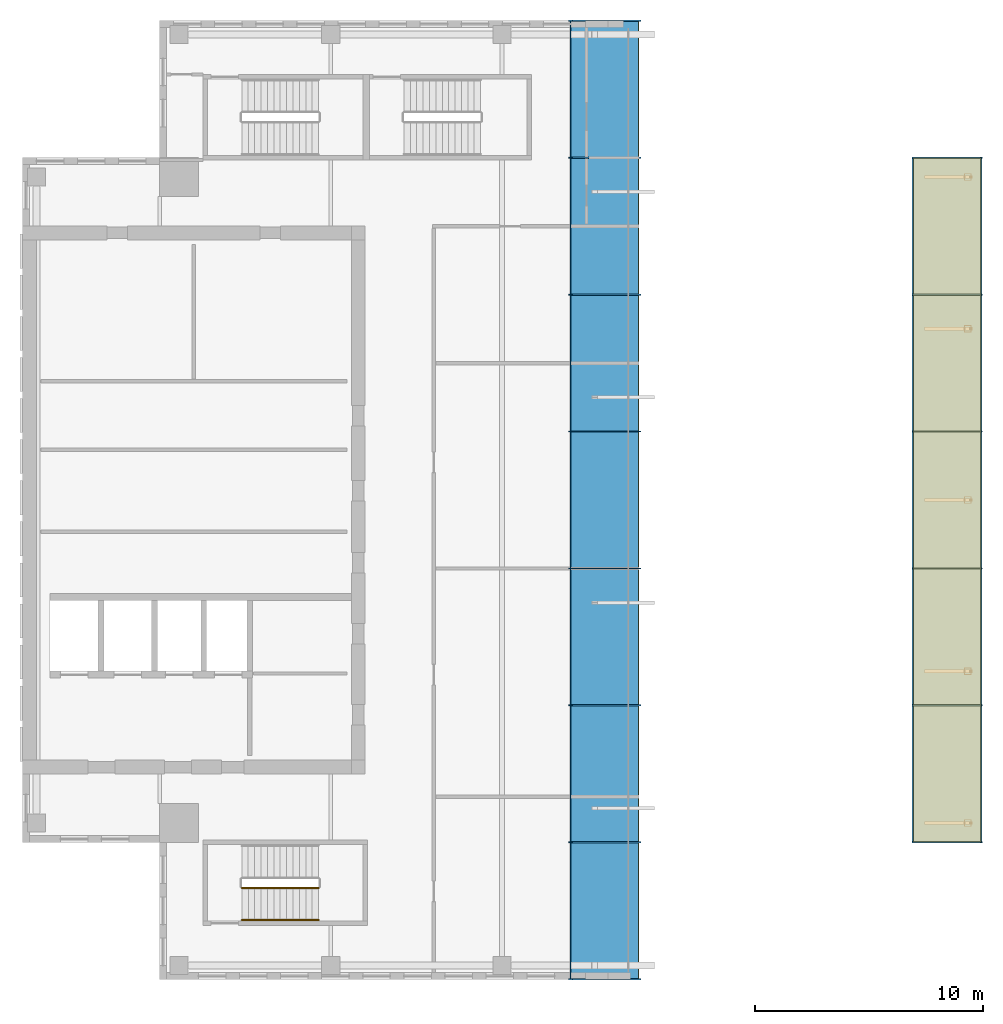
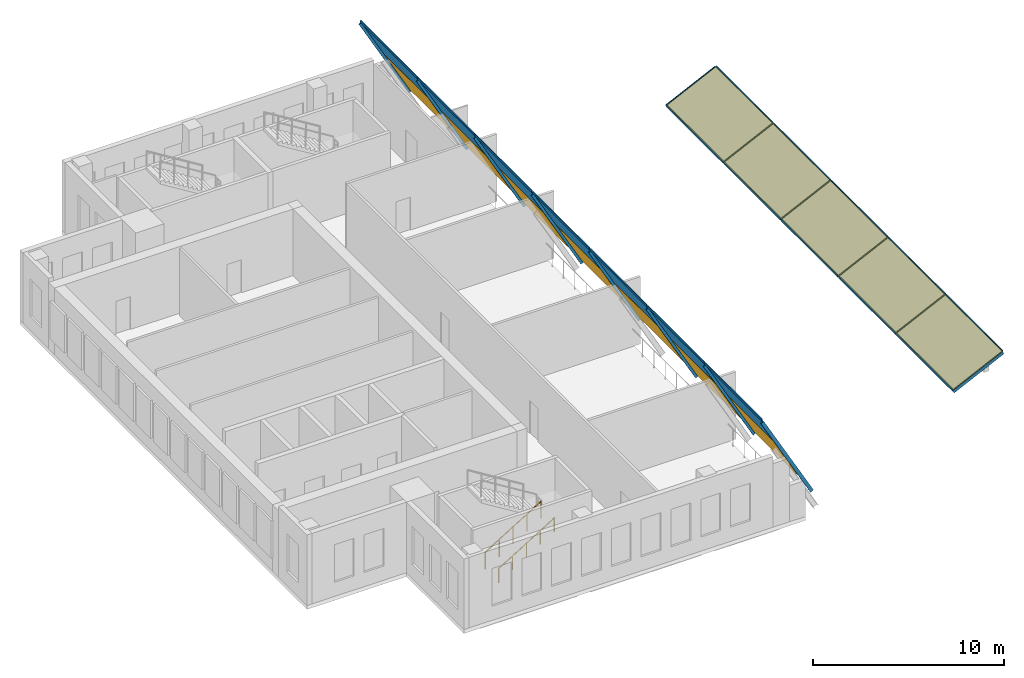
# One storey, part 6 of 7: 31 members, 12 plates, 2 curtain walls, 2 railings.
"""IFC4 building model written with IfcOpenShell, lengths in metres."""

import ifcopenshell
import ifcopenshell.guid

model = None  # the IFC model being written
_history = None  # IfcOwnerHistory: only IFC2X3 demands one
_inside = {}  # id of a spatial element -> (the spatial element, [elements in it])
_under = {}  # id of a project, library or spatial element -> (it, [spatial elements below it])
_declared = {}  # id of a project -> (the project, [libraries it declares])
_typed = {}  # id of a type object -> (the type object, [elements of that type])
_made_of = {}  # id of a material, layer set ... -> (it, [elements and type objects made of it])


def new_model(schema):
    """Start an empty IFC model of exactly this schema.

    Asked for "IFC4X3", IfcOpenShell would pick the latest addendum, in which some entities
    have other attributes; the version numbers below select the first issue.
    IFC2X3 requires an IfcOwnerHistory on every rooted entity: one is made here for all.
    """
    global model, _history
    if schema == "IFC4X3":
        model = ifcopenshell.file(schema_version=(4, 3, 0, 0))
    else:
        model = ifcopenshell.file(schema=schema)
    _inside.clear()
    _under.clear()
    _declared.clear()
    _typed.clear()
    _made_of.clear()
    _history = None
    if model.schema == "IFC2X3":
        org = make("IfcOrganization", Name="unknown")
        user = make(
            "IfcPersonAndOrganization",
            ThePerson=make("IfcPerson", FamilyName="unknown"),
            TheOrganization=org,
        )
        app = make(
            "IfcApplication",
            ApplicationDeveloper=org,
            Version="unknown",
            ApplicationFullName="unknown",
            ApplicationIdentifier="unknown",
        )
        _history = make(
            "IfcOwnerHistory",
            OwningUser=user,
            OwningApplication=app,
            ChangeAction="ADDED",
            CreationDate=0,
        )
    return model


def make(cls, **values):
    """One entity of the class cls with the attributes given. An attribute that is None is left unset."""
    return model.create_entity(
        cls, **{name: value for name, value in values.items() if value is not None}
    )


def rooted(cls, **values):
    """An entity with a GlobalId (a new one), such as an element, a storey or a relation."""
    return make(cls, GlobalId=ifcopenshell.guid.new(), OwnerHistory=_history, **values)


def si_unit(unit_type, name, prefix=None):
    """IfcSIUnit, for example si_unit("LENGTHUNIT", "METRE", prefix="MILLI")."""
    return make("IfcSIUnit", UnitType=unit_type, Prefix=prefix, Name=name)


def assignment(units):
    """IfcUnitAssignment: the units of a project."""
    return None if units is None else make("IfcUnitAssignment", Units=units)


def point(xyz):
    """IfcCartesianPoint."""
    return None if xyz is None else make("IfcCartesianPoint", Coordinates=xyz)


def direction(xyz):
    """IfcDirection."""
    return None if xyz is None else make("IfcDirection", DirectionRatios=xyz)


def frame(location, z_axis=None, x_axis=None):
    """IfcAxis2Placement3D, a coordinate frame: its origin and axes. An axis left out is left unset."""
    return make(
        "IfcAxis2Placement3D",
        Location=point(location),
        Axis=direction(z_axis),
        RefDirection=direction(x_axis),
    )


def frame_2d(location, x_axis=None):
    """IfcAxis2Placement2D, a coordinate frame in the plane: its origin and x axis."""
    return make(
        "IfcAxis2Placement2D", Location=point(location), RefDirection=direction(x_axis)
    )


def origin():
    """The frame at (0, 0, 0) with its axes left unset."""
    return frame((0.0, 0.0, 0.0))


def origin_2d():
    """The frame at (0, 0) in the plane with its x axis left unset."""
    return frame_2d((0.0, 0.0))


def place(relative_to, where):
    """IfcLocalPlacement: puts the frame where relative to a parent placement (None: the world)."""
    return make(
        "IfcLocalPlacement", PlacementRelTo=relative_to, RelativePlacement=where
    )


def context(
    kind, dimensions, precision=None, world=None, true_north=None, identifier=None
):
    """IfcGeometricRepresentationContext, for example the 3D "Model" context."""
    return make(
        "IfcGeometricRepresentationContext",
        ContextIdentifier=identifier,
        ContextType=kind,
        CoordinateSpaceDimension=dimensions,
        Precision=precision,
        WorldCoordinateSystem=world,
        TrueNorth=true_north,
    )


def subcontext(parent, identifier, kind, view, scale=None):
    """IfcGeometricRepresentationSubContext, for example "Body" below "Model"."""
    return make(
        "IfcGeometricRepresentationSubContext",
        ContextIdentifier=identifier,
        ContextType=kind,
        ParentContext=parent,
        TargetScale=scale,
        TargetView=view,
    )


def project(units=None, contexts=None):
    """IfcProject with its units and contexts."""
    return rooted(
        "IfcProject",
        Name="project",
        RepresentationContexts=contexts,
        UnitsInContext=assignment(units),
    )


def spatial(cls, under=None, at=None, **own):
    """A site, building, storey or space (cls), placed at a placement, below another one or the project."""
    s = rooted(cls, ObjectPlacement=at, **own)
    if under is not None:
        _under.setdefault(under.id(), (under, []))[1].append(s)
    return s


def polyline(points):
    """IfcPolyline through the points."""
    return make("IfcPolyline", Points=[point(p) for p in points])


def profile(cls, at=None, kind="AREA", **sizes):
    """A parametric profile (cls). Its sizes go by their IFC names, for example OverallWidth=200.0."""
    return make(cls, ProfileType=kind, Position=at, **sizes)


def hollow_rectangle(**sizes):
    """IfcRectangleHollowProfileDef."""
    return profile("IfcRectangleHollowProfileDef", **sizes)


def circle(**sizes):
    """IfcCircleProfileDef."""
    return profile("IfcCircleProfileDef", **sizes)


def outline(outer, holes=None, kind="AREA"):
    """IfcArbitraryClosedProfileDef: a profile drawn as a closed curve; with holes, ...WithVoids."""
    if holes is None:
        return make("IfcArbitraryClosedProfileDef", ProfileType=kind, OuterCurve=outer)
    return make(
        "IfcArbitraryProfileDefWithVoids",
        ProfileType=kind,
        OuterCurve=outer,
        InnerCurves=holes,
    )


def extrude(swept, where, along, depth):
    """IfcExtrudedAreaSolid: the profile swept, set in the frame where, extruded along a direction by depth."""
    return make(
        "IfcExtrudedAreaSolid",
        SweptArea=swept,
        Position=where,
        ExtrudedDirection=direction(along),
        Depth=depth,
    )


def shape(context_of_items, identifier, shape_type, items):
    """IfcShapeRepresentation: the items that make up one representation, for example the "Body"."""
    return make(
        "IfcShapeRepresentation",
        ContextOfItems=context_of_items,
        RepresentationIdentifier=identifier,
        RepresentationType=shape_type,
        Items=items,
    )


def source(mapping_origin, context_of_items, identifier, shape_type, items):
    """IfcRepresentationMap: a shape defined once, which mapped items show again and again."""
    return make(
        "IfcRepresentationMap",
        MappingOrigin=mapping_origin,
        MappedRepresentation=shape(context_of_items, identifier, shape_type, items),
    )


def transform(
    local_origin,
    x_axis=None,
    y_axis=None,
    z_axis=None,
    scale=None,
    scale2=None,
    scale3=None,
    uniform=True,
):
    """IfcCartesianTransformationOperator3D, or its non-uniform kind. x_axis, y_axis, z_axis: its Axis1, 2, 3."""
    if uniform:
        return make(
            "IfcCartesianTransformationOperator3D",
            Axis1=direction(x_axis),
            Axis2=direction(y_axis),
            LocalOrigin=point(local_origin),
            Scale=scale,
            Axis3=direction(z_axis),
        )
    return make(
        "IfcCartesianTransformationOperator3DnonUniform",
        Axis1=direction(x_axis),
        Axis2=direction(y_axis),
        LocalOrigin=point(local_origin),
        Scale=scale,
        Axis3=direction(z_axis),
        Scale2=scale2,
        Scale3=scale3,
    )


def mapped(mapping_source, mapping_target):
    """IfcMappedItem: shows the shape of a source again, moved by a transform."""
    return make(
        "IfcMappedItem", MappingSource=mapping_source, MappingTarget=mapping_target
    )


def material(Name=None, Category=None):
    """IfcMaterial."""
    return make("IfcMaterial", Name=Name, Category=Category)


def layer(
    of_material, thickness, ventilated=None, Name=None, Category=None, Priority=None
):
    """IfcMaterialLayer: one layer of a wall or slab, of a material (None: an air gap)."""
    return make(
        "IfcMaterialLayer",
        Material=of_material,
        LayerThickness=thickness,
        IsVentilated=ventilated,
        Name=Name,
        Category=Category,
        Priority=Priority,
    )


def layer_set(layers, Name=None):
    """IfcMaterialLayerSet."""
    return make("IfcMaterialLayerSet", MaterialLayers=layers, LayerSetName=Name)


def material_profile(
    of_material, cross_section, Name=None, Category=None, Priority=None
):
    """IfcMaterialProfile: a cross section and its material."""
    return make(
        "IfcMaterialProfile",
        Name=Name,
        Material=of_material,
        Profile=cross_section,
        Priority=Priority,
        Category=Category,
    )


def profile_set(profiles, Name=None, composite=None):
    """IfcMaterialProfileSet."""
    return make(
        "IfcMaterialProfileSet",
        Name=Name,
        MaterialProfiles=profiles,
        CompositeProfile=composite,
    )


def made_of(thing, what):
    """Note that an element or type object is made of a material, layer set ...; save() writes the relation."""
    if what is not None:
        _made_of.setdefault(what.id(), (what, []))[1].append(thing)
    return thing


def type_object(cls, material=None, **own):
    """A type object (cls), such as IfcWallType, which elements share."""
    return made_of(rooted(cls, **own), material)


def element(
    cls,
    number,
    at=None,
    inside=None,
    cuts=None,
    type_object=None,
    material=None,
    context=None,
    identifier="Body",
    shape_type=None,
    held_by="IfcProductDefinitionShape",
    body=None,
    shapes=None,
    **own,
):
    """One element of the class cls, such as IfcWall. Its Tag is "e" and its number.

    at: its placement. inside: the storey or other place that contains it. cuts: it is an
    opening in that element (IfcRelVoidsElement). A single representation is given by context,
    identifier, shape_type and body (its items); several are given by shapes. held_by: the class
    of the entity that holds the representations. save() writes the other relations.
    """
    e = rooted(cls, Tag="e%d" % number, ObjectPlacement=at, **own)
    if body is not None:
        shapes = [shape(context, identifier, shape_type, body)]
    if shapes is not None:
        e.Representation = make(held_by, Representations=shapes)
    if inside is not None:
        _inside.setdefault(inside.id(), (inside, []))[1].append(e)
    if cuts is not None:
        rooted(
            "IfcRelVoidsElement", RelatingBuildingElement=cuts, RelatedOpeningElement=e
        )
    if type_object is not None:
        _typed.setdefault(type_object.id(), (type_object, []))[1].append(e)
    return made_of(e, material)


def aggregate(whole, parts):
    """IfcRelAggregates: a whole, such as a stair, and the parts it consists of."""
    return rooted("IfcRelAggregates", RelatingObject=whole, RelatedObjects=parts)


def save(model, path):
    """Write the relations noted so far, then the file.

    IfcRelAggregates (storeys below a building ...), IfcRelContainedInSpatialStructure (elements
    in a storey), IfcRelDefinesByType, IfcRelAssociatesMaterial and IfcRelDeclares: one each for
    every whole, place, type object, material and project.
    """
    for whole, parts in _under.values():
        aggregate(whole, parts)
    for where, things in _inside.values():
        rooted(
            "IfcRelContainedInSpatialStructure",
            RelatedElements=things,
            RelatingStructure=where,
        )
    for kind, things in _typed.values():
        rooted("IfcRelDefinesByType", RelatedObjects=things, RelatingType=kind)
    for what, things in _made_of.values():
        rooted("IfcRelAssociatesMaterial", RelatedObjects=things, RelatingMaterial=what)
    for by, libraries in _declared.values():
        rooted("IfcRelDeclares", RelatingContext=by, RelatedDefinitions=libraries)
    model.write(path)


model = new_model("IFC4")

# Units and contexts
model_context = context("Model", 3, precision=1e-05, world=origin(), true_north=direction((0.0, 1.0)))
body_context = subcontext(model_context, "Body", "Model", "MODEL_VIEW")
ifc_project = project(units=[si_unit("LENGTHUNIT", "METRE"), si_unit("AREAUNIT", "SQUARE_METRE"), si_unit("VOLUMEUNIT", "CUBIC_METRE"), si_unit("PLANEANGLEUNIT", "RADIAN"), si_unit("MASSUNIT", "GRAM", prefix="KILO")], contexts=[model_context])

# Member
ifc_material_1 = material(Name="Aluminium", Category="aluminium")
ifc_material_profile_1 = material_profile(ifc_material_1, hollow_rectangle(XDim=0.06005859375, YDim=0.1201171875, WallThickness=0.0048828125, at=origin_2d()), Name="Crown roof glazing purlin CR-CW-T")
ifc_profile_set_1 = profile_set([ifc_material_profile_1], Name="Aluminium")
member_type_1 = type_object("IfcMemberType", Name="Crown roof glazing purlin CR-CW-T", PredefinedType="USERDEFINED", material=ifc_profile_set_1)
shared_shape_1 = source(origin(), body_context, "Body", "SweptSolid", [
    extrude(hollow_rectangle(XDim=0.06005859375, YDim=0.1201171875, WallThickness=0.0048828125, at=origin_2d()), origin(), (0.0, 0.0, 1.0), 5.93994140625),
])
site_placement = place(None, origin())
building_placement = place(site_placement, origin())
storey_placement = place(building_placement, frame((0.0, 0.0, 339.199951171875)))
member_1_placement = place(storey_placement, frame((30.0, 6.030029296875, 7.0732421875), z_axis=(0.0, 1.0, 0.0), x_axis=(-1.0, 0.0, 0.0)))
member_1 = element("IfcMember", 1, at=member_1_placement, type_object=member_type_1, Name="Crown glazing purlin", ObjectType="TRANSOM", PredefinedType="USERDEFINED", context=body_context, shape_type="MappedRepresentation", body=[
    mapped(shared_shape_1, transform((0.0, 0.0, 0.0))),
])

member_2_placement = place(storey_placement, frame((30.0, 12.030029296875, 7.0732421875), z_axis=(0.0, 1.0, 0.0), x_axis=(-1.0, 0.0, 0.0)))
member_2 = element("IfcMember", 2, at=member_2_placement, type_object=member_type_1, Name="Crown glazing purlin", ObjectType="TRANSOM", PredefinedType="USERDEFINED", context=body_context, shape_type="MappedRepresentation", body=[
    mapped(shared_shape_1, transform((0.0, 0.0, 0.0))),
])

member_3_placement = place(storey_placement, frame((30.0, 18.030029296875, 7.0732421875), z_axis=(0.0, 1.0, 0.0), x_axis=(-1.0, 0.0, 0.0)))
member_3 = element("IfcMember", 3, at=member_3_placement, type_object=member_type_1, Name="Crown glazing purlin", ObjectType="TRANSOM", PredefinedType="USERDEFINED", context=body_context, shape_type="MappedRepresentation", body=[
    mapped(shared_shape_1, transform((0.0, 0.0, 0.0))),
])

member_4_placement = place(storey_placement, frame((30.0, 24.030029296875, 7.0732421875), z_axis=(0.0, 1.0, 0.0), x_axis=(-1.0, 0.0, 0.0)))
member_4 = element("IfcMember", 4, at=member_4_placement, type_object=member_type_1, Name="Crown glazing purlin", ObjectType="TRANSOM", PredefinedType="USERDEFINED", context=body_context, shape_type="MappedRepresentation", body=[
    mapped(shared_shape_1, transform((0.0, 0.0, 0.0))),
])

member_5_placement = place(storey_placement, frame((30.0, 30.030029296875, 7.0732421875), z_axis=(0.0, 1.0, 0.0), x_axis=(-1.0, 0.0, 0.0)))
member_5 = element("IfcMember", 5, at=member_5_placement, type_object=member_type_1, Name="Crown glazing purlin", ObjectType="TRANSOM", PredefinedType="USERDEFINED", context=body_context, shape_type="MappedRepresentation", body=[
    mapped(shared_shape_1, transform((0.0, 0.0, 0.0))),
])

member_6_placement = place(storey_placement, frame((30.0, 36.030029296875, 7.0732421875), z_axis=(0.0, 1.0, 0.0), x_axis=(-1.0, 0.0, 0.0)))
member_6 = element("IfcMember", 6, at=member_6_placement, type_object=member_type_1, Name="Crown glazing purlin", ObjectType="TRANSOM", PredefinedType="USERDEFINED", context=body_context, shape_type="MappedRepresentation", body=[
    mapped(shared_shape_1, transform((0.0, 0.0, 0.0))),
])

member_7_placement = place(storey_placement, frame((30.0, 42.030029296875, 7.0732421875), z_axis=(0.0, 1.0, 0.0), x_axis=(-1.0, 0.0, 0.0)))
member_7 = element("IfcMember", 7, at=member_7_placement, type_object=member_type_1, Name="Crown glazing purlin", ObjectType="TRANSOM", PredefinedType="USERDEFINED", context=body_context, shape_type="MappedRepresentation", body=[
    mapped(shared_shape_1, transform((0.0, 0.0, 0.0))),
])

member_8_placement = place(storey_placement, frame((45.0, 12.030029296875, 0.056884765625), z_axis=(0.0, 1.0, 0.0), x_axis=(-1.0, 0.0, 0.0)))
member_8 = element("IfcMember", 8, at=member_8_placement, type_object=member_type_1, Name="Crown glazing purlin", ObjectType="TRANSOM", PredefinedType="USERDEFINED", context=body_context, shape_type="MappedRepresentation", body=[
    mapped(shared_shape_1, transform((0.0, 0.0, 0.0))),
])

member_9_placement = place(storey_placement, frame((45.0, 18.030029296875, 0.056884765625), z_axis=(0.0, 1.0, 0.0), x_axis=(-1.0, 0.0, 0.0)))
member_9 = element("IfcMember", 9, at=member_9_placement, type_object=member_type_1, Name="Crown glazing purlin", ObjectType="TRANSOM", PredefinedType="USERDEFINED", context=body_context, shape_type="MappedRepresentation", body=[
    mapped(shared_shape_1, transform((0.0, 0.0, 0.0))),
])

member_10_placement = place(storey_placement, frame((45.0, 24.030029296875, 0.056884765625), z_axis=(0.0, 1.0, 0.0), x_axis=(-1.0, 0.0, 0.0)))
member_10 = element("IfcMember", 10, at=member_10_placement, type_object=member_type_1, Name="Crown glazing purlin", ObjectType="TRANSOM", PredefinedType="USERDEFINED", context=body_context, shape_type="MappedRepresentation", body=[
    mapped(shared_shape_1, transform((0.0, 0.0, 0.0))),
])

member_11_placement = place(storey_placement, frame((45.0, 30.030029296875, 0.056884765625), z_axis=(0.0, 1.0, 0.0), x_axis=(-1.0, 0.0, 0.0)))
member_11 = element("IfcMember", 11, at=member_11_placement, type_object=member_type_1, Name="Crown glazing purlin", ObjectType="TRANSOM", PredefinedType="USERDEFINED", context=body_context, shape_type="MappedRepresentation", body=[
    mapped(shared_shape_1, transform((0.0, 0.0, 0.0))),
])

member_12_placement = place(storey_placement, frame((45.0, 36.030029296875, 0.056884765625), z_axis=(0.0, 1.0, 0.0), x_axis=(-1.0, 0.0, 0.0)))
member_12 = element("IfcMember", 12, at=member_12_placement, type_object=member_type_1, Name="Crown glazing purlin", ObjectType="TRANSOM", PredefinedType="USERDEFINED", context=body_context, shape_type="MappedRepresentation", body=[
    mapped(shared_shape_1, transform((0.0, 0.0, 0.0))),
])

member_13_placement = place(storey_placement, frame((48.0, 12.030029296875, 1.494384765625), z_axis=(0.0, 1.0, 0.0), x_axis=(-1.0, 0.0, 0.0)))
member_13 = element("IfcMember", 13, at=member_13_placement, type_object=member_type_1, Name="Crown glazing purlin", ObjectType="TRANSOM", PredefinedType="USERDEFINED", context=body_context, shape_type="MappedRepresentation", body=[
    mapped(shared_shape_1, transform((0.0, 0.0, 0.0))),
])

member_14_placement = place(storey_placement, frame((48.0, 18.030029296875, 1.494384765625), z_axis=(0.0, 1.0, 0.0), x_axis=(-1.0, 0.0, 0.0)))
member_14 = element("IfcMember", 14, at=member_14_placement, type_object=member_type_1, Name="Crown glazing purlin", ObjectType="TRANSOM", PredefinedType="USERDEFINED", context=body_context, shape_type="MappedRepresentation", body=[
    mapped(shared_shape_1, transform((0.0, 0.0, 0.0))),
])

member_15_placement = place(storey_placement, frame((48.0, 24.030029296875, 1.494384765625), z_axis=(0.0, 1.0, 0.0), x_axis=(-1.0, 0.0, 0.0)))
member_15 = element("IfcMember", 15, at=member_15_placement, type_object=member_type_1, Name="Crown glazing purlin", ObjectType="TRANSOM", PredefinedType="USERDEFINED", context=body_context, shape_type="MappedRepresentation", body=[
    mapped(shared_shape_1, transform((0.0, 0.0, 0.0))),
])

member_16_placement = place(storey_placement, frame((48.0, 30.030029296875, 1.494384765625), z_axis=(0.0, 1.0, 0.0), x_axis=(-1.0, 0.0, 0.0)))
member_16 = element("IfcMember", 16, at=member_16_placement, type_object=member_type_1, Name="Crown glazing purlin", ObjectType="TRANSOM", PredefinedType="USERDEFINED", context=body_context, shape_type="MappedRepresentation", body=[
    mapped(shared_shape_1, transform((0.0, 0.0, 0.0))),
])

member_17_placement = place(storey_placement, frame((48.0, 36.030029296875, 1.494384765625), z_axis=(0.0, 1.0, 0.0), x_axis=(-1.0, 0.0, 0.0)))
member_17 = element("IfcMember", 17, at=member_17_placement, type_object=member_type_1, Name="Crown glazing purlin", ObjectType="TRANSOM", PredefinedType="USERDEFINED", context=body_context, shape_type="MappedRepresentation", body=[
    mapped(shared_shape_1, transform((0.0, 0.0, 0.0))),
])

ifc_material_2 = material(Name="Aluminium", Category="aluminium")
ifc_material_profile_2 = material_profile(ifc_material_2, hollow_rectangle(XDim=0.06005859375, YDim=0.199951171875, WallThickness=0.0048828125, at=origin_2d()), Name="Crown roof glazing rafter CR-CW-M")
ifc_profile_set_2 = profile_set([ifc_material_profile_2], Name="Aluminium")
member_type_2 = type_object("IfcMemberType", Name="Crown roof glazing rafter CR-CW-M", PredefinedType="MULLION", material=ifc_profile_set_2)
shared_shape_2 = source(origin(), body_context, "Body", "SweptSolid", [
    extrude(hollow_rectangle(XDim=0.06005859375, YDim=0.199951171875, WallThickness=0.0048828125, at=origin_2d()), origin(), (0.0, 0.0, 1.0), 6.198974609375),
])
member_18_placement = place(storey_placement, frame((30.0, 6.0, 6.926513671875), z_axis=(0.483943326093, 0.0, -0.875099341292), x_axis=(0.0, 1.0, 0.0)))
member_18 = element("IfcMember", 18, at=member_18_placement, type_object=member_type_2, Name="Crown glazing rafter", PredefinedType="MULLION", context=body_context, shape_type="MappedRepresentation", body=[
    mapped(shared_shape_2, transform((0.0, 0.0, 0.0))),
])

member_19_placement = place(storey_placement, frame((30.0, 12.0, 6.926513671875), z_axis=(0.483943326093, 0.0, -0.875099341292), x_axis=(0.0, 1.0, 0.0)))
member_19 = element("IfcMember", 19, at=member_19_placement, type_object=member_type_2, Name="Crown glazing rafter", PredefinedType="MULLION", context=body_context, shape_type="MappedRepresentation", body=[
    mapped(shared_shape_2, transform((0.0, 0.0, 0.0))),
])

member_20_placement = place(storey_placement, frame((30.0, 18.0, 6.926513671875), z_axis=(0.483943326093, 0.0, -0.875099341292), x_axis=(0.0, 1.0, 0.0)))
member_20 = element("IfcMember", 20, at=member_20_placement, type_object=member_type_2, Name="Crown glazing rafter", PredefinedType="MULLION", context=body_context, shape_type="MappedRepresentation", body=[
    mapped(shared_shape_2, transform((0.0, 0.0, 0.0))),
])

member_21_placement = place(storey_placement, frame((30.0, 24.0, 6.926513671875), z_axis=(0.483943326093, 0.0, -0.875099341292), x_axis=(0.0, 1.0, 0.0)))
member_21 = element("IfcMember", 21, at=member_21_placement, type_object=member_type_2, Name="Crown glazing rafter", PredefinedType="MULLION", context=body_context, shape_type="MappedRepresentation", body=[
    mapped(shared_shape_2, transform((0.0, 0.0, 0.0))),
])

member_22_placement = place(storey_placement, frame((30.0, 30.0, 6.926513671875), z_axis=(0.483943326093, 0.0, -0.875099341292), x_axis=(0.0, 1.0, 0.0)))
member_22 = element("IfcMember", 22, at=member_22_placement, type_object=member_type_2, Name="Crown glazing rafter", PredefinedType="MULLION", context=body_context, shape_type="MappedRepresentation", body=[
    mapped(shared_shape_2, transform((0.0, 0.0, 0.0))),
])

member_23_placement = place(storey_placement, frame((30.0, 36.0, 6.926513671875), z_axis=(0.483943326093, 0.0, -0.875099341292), x_axis=(0.0, 1.0, 0.0)))
member_23 = element("IfcMember", 23, at=member_23_placement, type_object=member_type_2, Name="Crown glazing rafter", PredefinedType="MULLION", context=body_context, shape_type="MappedRepresentation", body=[
    mapped(shared_shape_2, transform((0.0, 0.0, 0.0))),
])

member_24_placement = place(storey_placement, frame((30.0, 42.0, 6.926513671875), z_axis=(0.483943326093, 0.0, -0.875099341292), x_axis=(0.0, 1.0, 0.0)))
member_24 = element("IfcMember", 24, at=member_24_placement, type_object=member_type_2, Name="Crown glazing rafter", PredefinedType="MULLION", context=body_context, shape_type="MappedRepresentation", body=[
    mapped(shared_shape_2, transform((0.0, 0.0, 0.0))),
])

member_25_placement = place(storey_placement, frame((30.0, 48.0, 6.926513671875), z_axis=(0.483943326093, 0.0, -0.875099341292), x_axis=(0.0, 1.0, 0.0)))
member_25 = element("IfcMember", 25, at=member_25_placement, type_object=member_type_2, Name="Crown glazing rafter", PredefinedType="MULLION", context=body_context, shape_type="MappedRepresentation", body=[
    mapped(shared_shape_2, transform((0.0, 0.0, 0.0))),
])

shared_shape_3 = source(origin(), body_context, "Body", "SweptSolid", [
    extrude(hollow_rectangle(XDim=0.06005859375, YDim=0.199951171875, WallThickness=0.0048828125, at=origin_2d()), origin(), (0.0, 0.0, 1.0), 3.32666015625),
])
member_26_placement = place(storey_placement, frame((45.0, 12.0, 0.006103515625), z_axis=(0.901816028725, 0.0, 0.432120180431), x_axis=(0.0, 1.0, 0.0)))
member_26 = element("IfcMember", 26, at=member_26_placement, type_object=member_type_2, Name="Crown glazing rafter", PredefinedType="MULLION", context=body_context, shape_type="MappedRepresentation", body=[
    mapped(shared_shape_3, transform((0.0, 0.0, 0.0))),
])

member_27_placement = place(storey_placement, frame((45.0, 18.0, 0.006103515625), z_axis=(0.901816028725, 0.0, 0.432120180431), x_axis=(0.0, 1.0, 0.0)))
member_27 = element("IfcMember", 27, at=member_27_placement, type_object=member_type_2, Name="Crown glazing rafter", PredefinedType="MULLION", context=body_context, shape_type="MappedRepresentation", body=[
    mapped(shared_shape_3, transform((0.0, 0.0, 0.0))),
])

member_28_placement = place(storey_placement, frame((45.0, 24.0, 0.006103515625), z_axis=(0.901816028725, 0.0, 0.432120180431), x_axis=(0.0, 1.0, 0.0)))
member_28 = element("IfcMember", 28, at=member_28_placement, type_object=member_type_2, Name="Crown glazing rafter", PredefinedType="MULLION", context=body_context, shape_type="MappedRepresentation", body=[
    mapped(shared_shape_3, transform((0.0, 0.0, 0.0))),
])

member_29_placement = place(storey_placement, frame((45.0, 30.0, 0.006103515625), z_axis=(0.901816028725, 0.0, 0.432120180431), x_axis=(0.0, 1.0, 0.0)))
member_29 = element("IfcMember", 29, at=member_29_placement, type_object=member_type_2, Name="Crown glazing rafter", PredefinedType="MULLION", context=body_context, shape_type="MappedRepresentation", body=[
    mapped(shared_shape_3, transform((0.0, 0.0, 0.0))),
])

member_30_placement = place(storey_placement, frame((45.0, 36.0, 0.006103515625), z_axis=(0.901816028725, 0.0, 0.432120180431), x_axis=(0.0, 1.0, 0.0)))
member_30 = element("IfcMember", 30, at=member_30_placement, type_object=member_type_2, Name="Crown glazing rafter", PredefinedType="MULLION", context=body_context, shape_type="MappedRepresentation", body=[
    mapped(shared_shape_3, transform((0.0, 0.0, 0.0))),
])

member_31_placement = place(storey_placement, frame((45.0, 42.0, 0.006103515625), z_axis=(0.901816028725, 0.0, 0.432120180431), x_axis=(0.0, 1.0, 0.0)))
member_31 = element("IfcMember", 31, at=member_31_placement, type_object=member_type_2, Name="Crown glazing rafter", PredefinedType="MULLION", context=body_context, shape_type="MappedRepresentation", body=[
    mapped(shared_shape_3, transform((0.0, 0.0, 0.0))),
])

# Plate
ifc_material_3 = material(Name="Laminated heat-strengthened glass", Category="glass")
ifc_layer = layer(ifc_material_3, 0.031982421875)
ifc_layer_set = layer_set([ifc_layer], Name="Laminated heat-strengthened glass")
plate_type = type_object("IfcPlateType", Name="Crown roof glazing panel CR-CW-P", PredefinedType="CURTAIN_PANEL", material=ifc_layer_set)
plate_1_placement = place(storey_placement, frame((30.030029296875, 6.030029296875, 7.037109375), z_axis=(0.875116601201, 0.0, 0.483912114234), x_axis=(0.483912114234, 0.0, -0.875116601201)))
plate_1 = element("IfcPlate", 32, at=plate_1_placement, type_object=plate_type, Name="Crown roof glazing panel", PredefinedType="CURTAIN_PANEL", context=body_context, shape_type="SweptSolid", body=[
    extrude(outline(polyline([(0.0, 0.0), (6.075362281240205, 0.0), (6.075362281240205, 5.93994140625), (0.0, 5.93994140625), (0.0, 0.0)])), origin(), (0.0, 0.0, -1.0), 0.031982421875),
])

plate_2_placement = place(storey_placement, frame((30.030029296875, 12.030029296875, 7.037109375), z_axis=(0.875116601201, 0.0, 0.483912114234), x_axis=(0.483912114234, 0.0, -0.875116601201)))
plate_2 = element("IfcPlate", 33, at=plate_2_placement, type_object=plate_type, Name="Crown roof glazing panel", PredefinedType="CURTAIN_PANEL", context=body_context, shape_type="SweptSolid", body=[
    extrude(outline(polyline([(0.0, 0.0), (6.075362281240205, 0.0), (6.075362281240205, 5.93994140625), (0.0, 5.93994140625), (0.0, 0.0)])), origin(), (0.0, 0.0, -1.0), 0.031982421875),
])

plate_3_placement = place(storey_placement, frame((30.030029296875, 18.030029296875, 7.037109375), z_axis=(0.875116601201, 0.0, 0.483912114234), x_axis=(0.483912114234, 0.0, -0.875116601201)))
plate_3 = element("IfcPlate", 34, at=plate_3_placement, type_object=plate_type, Name="Crown roof glazing panel", PredefinedType="CURTAIN_PANEL", context=body_context, shape_type="SweptSolid", body=[
    extrude(outline(polyline([(0.0, 0.0), (6.075362281240205, 0.0), (6.075362281240205, 5.93994140625), (0.0, 5.93994140625), (0.0, 0.0)])), origin(), (0.0, 0.0, -1.0), 0.031982421875),
])

plate_4_placement = place(storey_placement, frame((30.030029296875, 24.030029296875, 7.037109375), z_axis=(0.875116601201, 0.0, 0.483912114234), x_axis=(0.483912114234, 0.0, -0.875116601201)))
plate_4 = element("IfcPlate", 35, at=plate_4_placement, type_object=plate_type, Name="Crown roof glazing panel", PredefinedType="CURTAIN_PANEL", context=body_context, shape_type="SweptSolid", body=[
    extrude(outline(polyline([(0.0, 0.0), (6.075362281240205, 0.0), (6.075362281240205, 5.93994140625), (0.0, 5.93994140625), (0.0, 0.0)])), origin(), (0.0, 0.0, -1.0), 0.031982421875),
])

plate_5_placement = place(storey_placement, frame((30.030029296875, 30.030029296875, 7.037109375), z_axis=(0.875116601201, 0.0, 0.483912114234), x_axis=(0.483912114234, 0.0, -0.875116601201)))
plate_5 = element("IfcPlate", 36, at=plate_5_placement, type_object=plate_type, Name="Crown roof glazing panel", PredefinedType="CURTAIN_PANEL", context=body_context, shape_type="SweptSolid", body=[
    extrude(outline(polyline([(0.0, 0.0), (6.075362281240205, 0.0), (6.075362281240205, 5.93994140625), (0.0, 5.93994140625), (0.0, 0.0)])), origin(), (0.0, 0.0, -1.0), 0.031982421875),
])

plate_6_placement = place(storey_placement, frame((30.030029296875, 36.030029296875, 7.037109375), z_axis=(0.875116601201, 0.0, 0.483912114234), x_axis=(0.483912114234, 0.0, -0.875116601201)))
plate_6 = element("IfcPlate", 37, at=plate_6_placement, type_object=plate_type, Name="Crown roof glazing panel", PredefinedType="CURTAIN_PANEL", context=body_context, shape_type="SweptSolid", body=[
    extrude(outline(polyline([(0.0, 0.0), (6.075362281240205, 0.0), (6.075362281240205, 5.93994140625), (0.0, 5.93994140625), (0.0, 0.0)])), origin(), (0.0, 0.0, -1.0), 0.031982421875),
])

plate_7_placement = place(storey_placement, frame((30.030029296875, 42.030029296875, 7.037109375), z_axis=(0.875116601201, 0.0, 0.483912114234), x_axis=(0.483912114234, 0.0, -0.875116601201)))
plate_7 = element("IfcPlate", 38, at=plate_7_placement, type_object=plate_type, Name="Crown roof glazing panel", PredefinedType="CURTAIN_PANEL", context=body_context, shape_type="SweptSolid", body=[
    extrude(outline(polyline([(0.0, 0.0), (6.075362281240205, 0.0), (6.075362281240205, 5.93994140625), (0.0, 5.93994140625), (0.0, 0.0)])), origin(), (0.0, 0.0, -1.0), 0.031982421875),
])

plate_8_placement = place(storey_placement, frame((45.030029296875, 12.030029296875, 0.08935546875), z_axis=(0.0, 0.0, 1.0), x_axis=(1.0, 0.0, 0.0)))
plate_8 = element("IfcPlate", 39, at=plate_8_placement, type_object=plate_type, Name="Crown roof glazing panel", PredefinedType="CURTAIN_PANEL", context=body_context, shape_type="SweptSolid", body=[
    extrude(outline(polyline([(0.0, 0.0), (2.93994140625, 1.40869140625), (2.93994140625, 1.373291015625), (0.0, -0.035400390625), (0.0, 0.0)])), frame((0.0, 5.93994140625, 0.0), z_axis=(0.0, -1.0, 0.0), x_axis=(1.0, 0.0, 0.0)), (0.0, 0.0, 1.0), 5.93994140625),
])

plate_9_placement = place(storey_placement, frame((45.030029296875, 18.030029296875, 0.08935546875), z_axis=(0.0, 0.0, 1.0), x_axis=(1.0, 0.0, 0.0)))
plate_9 = element("IfcPlate", 40, at=plate_9_placement, type_object=plate_type, Name="Crown roof glazing panel", PredefinedType="CURTAIN_PANEL", context=body_context, shape_type="SweptSolid", body=[
    extrude(outline(polyline([(0.0, 0.0), (2.93994140625, 1.40869140625), (2.93994140625, 1.373291015625), (0.0, -0.035400390625), (0.0, 0.0)])), frame((0.0, 5.93994140625, 0.0), z_axis=(0.0, -1.0, 0.0), x_axis=(1.0, 0.0, 0.0)), (0.0, 0.0, 1.0), 5.93994140625),
])

plate_10_placement = place(storey_placement, frame((45.030029296875, 24.030029296875, 0.08935546875), z_axis=(0.0, 0.0, 1.0), x_axis=(1.0, 0.0, 0.0)))
plate_10 = element("IfcPlate", 41, at=plate_10_placement, type_object=plate_type, Name="Crown roof glazing panel", PredefinedType="CURTAIN_PANEL", context=body_context, shape_type="SweptSolid", body=[
    extrude(outline(polyline([(0.0, 0.0), (2.93994140625, 1.40869140625), (2.93994140625, 1.373291015625), (0.0, -0.035400390625), (0.0, 0.0)])), frame((0.0, 5.93994140625, 0.0), z_axis=(0.0, -1.0, 0.0), x_axis=(1.0, 0.0, 0.0)), (0.0, 0.0, 1.0), 5.93994140625),
])

plate_11_placement = place(storey_placement, frame((45.030029296875, 30.030029296875, 0.08935546875), z_axis=(0.0, 0.0, 1.0), x_axis=(1.0, 0.0, 0.0)))
plate_11 = element("IfcPlate", 42, at=plate_11_placement, type_object=plate_type, Name="Crown roof glazing panel", PredefinedType="CURTAIN_PANEL", context=body_context, shape_type="SweptSolid", body=[
    extrude(outline(polyline([(0.0, 0.0), (2.93994140625, 1.40869140625), (2.93994140625, 1.373291015625), (0.0, -0.035400390625), (0.0, 0.0)])), frame((0.0, 5.93994140625, 0.0), z_axis=(0.0, -1.0, 0.0), x_axis=(1.0, 0.0, 0.0)), (0.0, 0.0, 1.0), 5.93994140625),
])

plate_12_placement = place(storey_placement, frame((45.030029296875, 36.030029296875, 0.08935546875), z_axis=(0.0, 0.0, 1.0), x_axis=(1.0, 0.0, 0.0)))
plate_12 = element("IfcPlate", 43, at=plate_12_placement, type_object=plate_type, Name="Crown roof glazing panel", PredefinedType="CURTAIN_PANEL", context=body_context, shape_type="SweptSolid", body=[
    extrude(outline(polyline([(0.0, 0.0), (2.93994140625, 1.40869140625), (2.93994140625, 1.373291015625), (0.0, -0.035400390625), (0.0, 0.0)])), frame((0.0, 5.93994140625, 0.0), z_axis=(0.0, -1.0, 0.0), x_axis=(1.0, 0.0, 0.0)), (0.0, 0.0, 1.0), 5.93994140625),
])

# Site, building, storey
site = spatial("IfcSite", under=ifc_project, at=site_placement, CompositionType="ELEMENT")
building = spatial("IfcBuilding", under=site, at=building_placement, Name="Khomas Fold Tower", CompositionType="ELEMENT")
storey = spatial("IfcBuildingStorey", under=building, at=storey_placement, Name="C3", CompositionType="ELEMENT", Elevation=339.199951171875)

# Curtain wall
ifc_material_4 = material(Name="Aluminium framed double glazing", Category="aluminium")
curtain_wall_type = type_object("IfcCurtainWallType", Name="Crown roof glazing CR-CW", PredefinedType="NOTDEFINED", material=ifc_material_4)
curtain_wall_1_placement = place(storey_placement, frame((33.0, 48.0, 1.661376953125), z_axis=(0.875093057117, 0.0, 0.483954689394), x_axis=(0.0, -1.0, 0.0)))
curtain_wall_1 = element("IfcCurtainWall", 44, at=curtain_wall_1_placement, inside=storey, type_object=curtain_wall_type, Name="Crown roof glazing W C3", PredefinedType="NOTDEFINED", context=body_context, shape_type="SweptSolid", body=[
    extrude(outline(polyline([(0.0, 0.0), (6.0, 0.0), (12.0, 0.0), (18.0, 0.0), (24.0, 0.0), (30.0, 0.0), (36.0, 0.0), (42.0, 0.0), (42.0, -3.243237667747486), (0.0, -3.243237667747486), (0.0, 0.0)])), origin(), (0.0, 0.0, -1.0), 0.031982421875),
])

aggregate(curtain_wall_1, [member_18, member_19, member_20, member_21, member_22, member_23, member_24, member_25, member_1, member_2, member_3, member_4, member_5, member_6, member_7, plate_1, plate_2, plate_3, plate_4, plate_5, plate_6, plate_7])

curtain_wall_2_placement = place(storey_placement, frame((45.0, 18.0, 0.070068359375), z_axis=(-0.432120180431, 0.0, 0.901816028725), x_axis=(0.0, 1.0, 0.0)))
curtain_wall_2 = element("IfcCurtainWall", 45, at=curtain_wall_2_placement, inside=storey, type_object=curtain_wall_type, Name="Crown roof glazing E C3", PredefinedType="NOTDEFINED", context=body_context, shape_type="SweptSolid", body=[
    extrude(outline(polyline([(0.0, 0.0), (6.0, 0.0), (12.0, 0.0), (18.0, 0.0), (24.0, 0.0), (24.0, -3.326620845542816), (18.0, -3.326620845542816), (12.0, -3.326620845542816), (6.0, -3.326620845542816), (0.0, -3.326620845542816), (-6.0, -3.326620845542816), (-6.0, 0.0), (0.0, 0.0)])), origin(), (0.0, 0.0, -1.0), 0.031982421875),
])

aggregate(curtain_wall_2, [member_26, member_27, member_28, member_29, member_30, member_31, member_8, member_9, member_10, member_11, member_12, member_13, member_14, member_15, member_16, member_17, plate_8, plate_9, plate_10, plate_11, plate_12])

# Railings
ifc_material_5 = material(Name="Steel balustrade", Category="steel")
railing_type_1 = type_object("IfcRailingType", Name="Stair guard", PredefinedType="GUARDRAIL", material=ifc_material_5)
shared_shape_4 = source(origin(), body_context, "Body", "SweptSolid", [
    extrude(circle(Radius=0.02392578125, at=origin_2d()), frame((0.0, 0.0, 1.076171875), z_axis=(0.850606129759, 0.0, 0.525803396734), x_axis=(0.0, 1.0, 0.0)), (0.0, 0.0, 1.0), 3.949951171875),
    extrude(circle(Radius=0.02099609375, at=origin_2d()), origin(), (0.0, 0.0, 1.0), 1.052001953125),
    extrude(circle(Radius=0.02099609375, at=origin_2d()), frame((0.83984375, 0.0, 0.519287109375)), (0.0, 0.0, 1.0), 1.052001953125),
    extrude(circle(Radius=0.02099609375, at=origin_2d()), frame((1.679931640625, 0.0, 1.03857421875)), (0.0, 0.0, 1.0), 1.052001953125),
    extrude(circle(Radius=0.02099609375, at=origin_2d()), frame((2.52001953125, 0.0, 1.5576171875)), (0.0, 0.0, 1.0), 1.052001953125),
    extrude(circle(Radius=0.02099609375, at=origin_2d()), frame((3.35986328125, 0.0, 2.076904296875)), (0.0, 0.0, 1.0), 1.052001953125),
])
railing_1_placement = place(storey_placement, frame((15.60009765625, 10.0, 0.173095703125)))
element("IfcRailing", 46, at=railing_1_placement, inside=storey, type_object=railing_type_1, Name="C3 ST2 stair guard 1", PredefinedType="GUARDRAIL", context=body_context, shape_type="MappedRepresentation", body=[
    mapped(shared_shape_4, transform((0.0, 0.0, 0.0))),
])
ifc_material_6 = material(Name="Steel handrail", Category="steel")
railing_type_2 = type_object("IfcRailingType", Name="Stair handrail", PredefinedType="HANDRAIL", material=ifc_material_6)
shared_shape_5 = source(origin(), body_context, "Body", "SweptSolid", [
    extrude(circle(Radius=0.02392578125, at=origin_2d()), frame((0.0, 0.0, 0.8759765625), z_axis=(0.850606129759, 0.0, 0.525803396734), x_axis=(0.0, 1.0, 0.0)), (0.0, 0.0, 1.0), 3.949951171875),
    extrude(circle(Radius=0.02099609375, at=origin_2d()), origin(), (0.0, 0.0, 1.0), 0.851806640625),
    extrude(circle(Radius=0.02099609375, at=origin_2d()), frame((0.83984375, 0.0, 0.519287109375)), (0.0, 0.0, 1.0), 0.851806640625),
    extrude(circle(Radius=0.02099609375, at=origin_2d()), frame((1.679931640625, 0.0, 1.03857421875)), (0.0, 0.0, 1.0), 0.851806640625),
    extrude(circle(Radius=0.02099609375, at=origin_2d()), frame((2.52001953125, 0.0, 1.5576171875)), (0.0, 0.0, 1.0), 0.851806640625),
    extrude(circle(Radius=0.02099609375, at=origin_2d()), frame((3.35986328125, 0.0, 2.076904296875)), (0.0, 0.0, 1.0), 0.851806640625),
])
railing_2_placement = place(storey_placement, frame((15.60009765625, 8.60009765625, 0.173095703125)))
element("IfcRailing", 47, at=railing_2_placement, inside=storey, type_object=railing_type_2, Name="C3 ST2 stair handrail 1", PredefinedType="HANDRAIL", context=body_context, shape_type="MappedRepresentation", body=[
    mapped(shared_shape_5, transform((0.0, 0.0, 0.0))),
])

save(model, "model.ifc")
